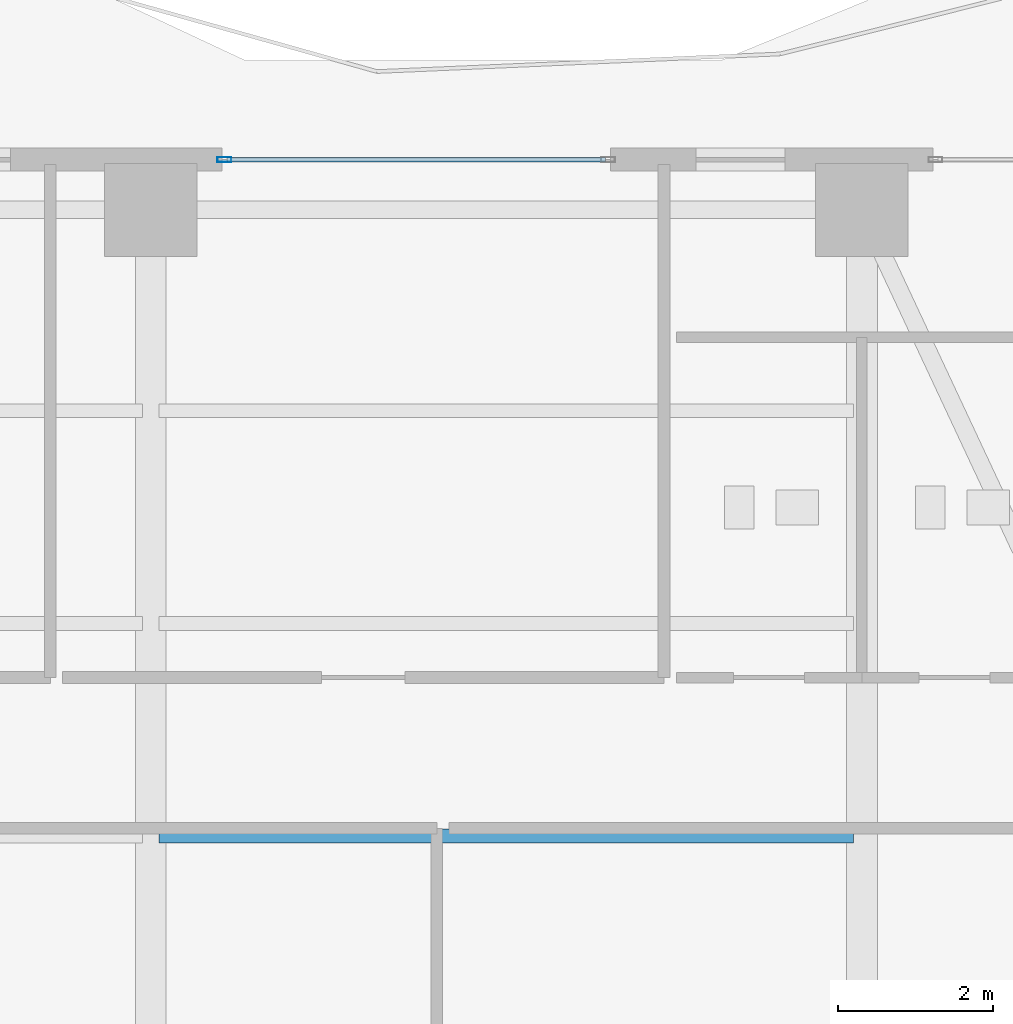
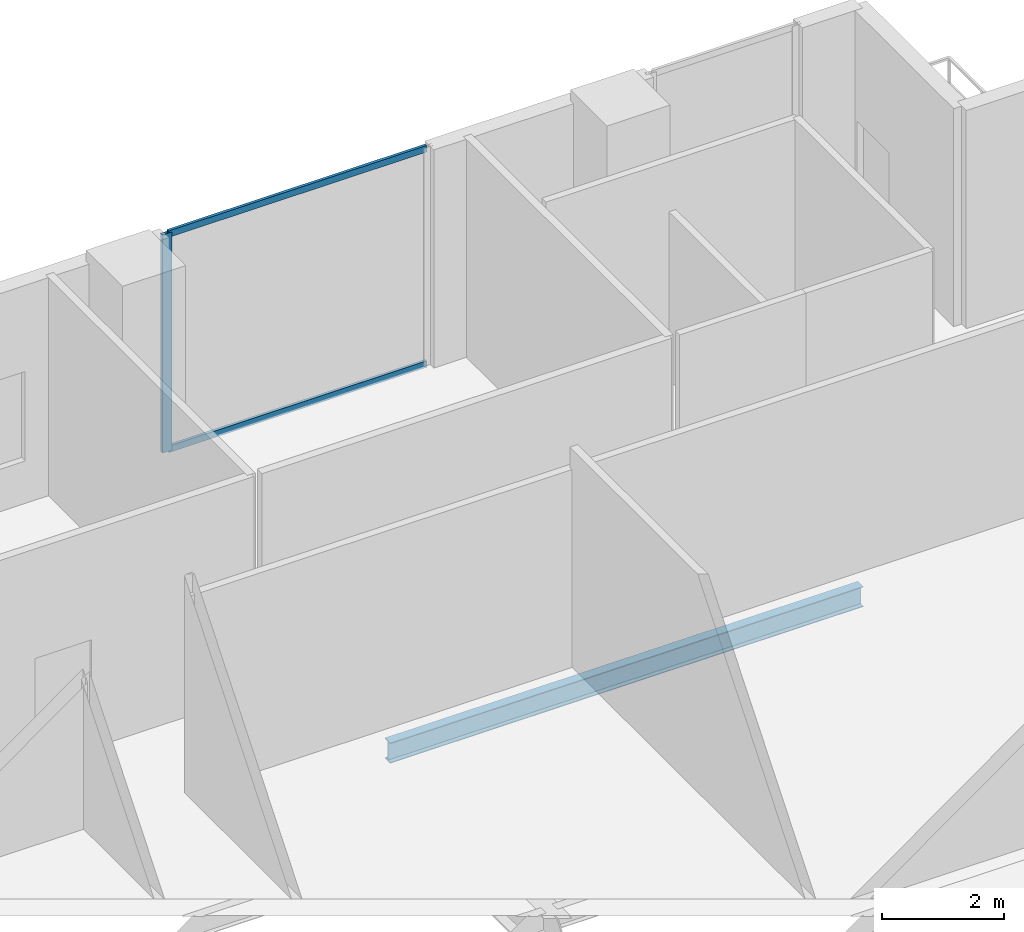
# One storey, part 19 of 31: 3 members, 1 beam, 1 element without a shape of its own.
"""IFC4 building model written with IfcOpenShell, lengths in metres."""

from ifc_helpers import new_model, si_unit, direction, frame, origin, origin_2d, place, context, subcontext, project, spatial, hollow_rectangle, i_section, extrude, material, layer, layer_set, material_profile, profile_set, type_object, element, aggregate, save


model = new_model("IFC4")

# Units and contexts
model_context = context("Model", 3, precision=1e-05, world=origin(), true_north=direction((0.0, 1.0)))
body_context = subcontext(model_context, "Body", "Model", "MODEL_VIEW")
ifc_project = project(units=[si_unit("LENGTHUNIT", "METRE"), si_unit("AREAUNIT", "SQUARE_METRE"), si_unit("VOLUMEUNIT", "CUBIC_METRE"), si_unit("PLANEANGLEUNIT", "RADIAN"), si_unit("MASSUNIT", "GRAM", prefix="KILO")], contexts=[model_context])

# Site, building, storey
site_placement = place(None, origin())
site = spatial("IfcSite", under=ifc_project, at=site_placement, CompositionType="ELEMENT")
building_placement = place(site_placement, origin())
building = spatial("IfcBuilding", under=site, at=building_placement, Name="Zuhayl Quay Hotel", CompositionType="ELEMENT")
storey_placement = place(building_placement, frame((0.0, 0.0, 172.800048828125)))
storey = spatial("IfcBuildingStorey", under=building, at=storey_placement, Name="L43", CompositionType="ELEMENT", Elevation=172.800048828125)

# Beam
ifc_material_1 = material(Name="Steel ASTM A992 Grade 50", Category="steel")
ifc_material_profile_1 = material_profile(ifc_material_1, i_section(OverallWidth=0.177978515625, OverallDepth=0.406005859375, WebThickness=0.0078125, FlangeThickness=0.0126953125, at=origin_2d()), Name="W16X40")
ifc_profile_set_1 = profile_set([ifc_material_profile_1], Name="Steel ASTM A992 Grade 50")
beam_type = type_object("IfcBeamType", Name="BM_J2B_W16X40", PredefinedType="JOIST", material=ifc_profile_set_1)
beam_placement = place(storey_placement, frame((4.7060546875, 24.85009765625, -0.423095703125), z_axis=(1.0, 0.0, 0.0), x_axis=(0.0, 1.0, 0.0)))
element("IfcBeam", 1, at=beam_placement, inside=storey, type_object=beam_type, Name="L43 Floor Beam FJ_L43_4_3", PredefinedType="JOIST", context=body_context, shape_type="SweptSolid", body=[
    extrude(i_section(OverallWidth=0.177978515625, OverallDepth=0.406005859375, WebThickness=0.0078125, FlangeThickness=0.0126953125, at=origin_2d()), origin(), (0.0, 0.0, 1.0), 8.988037109375),
])

# Curtain wall, members
ifc_material_2 = material(Name="Anodised Aluminium 6063-T6", Category="aluminium")
ifc_layer = layer(ifc_material_2, 0.175048828125, Name="Anodised Aluminium 6063-T6", Category="aluminium")
ifc_layer_set = layer_set([ifc_layer], Name="Anodised Aluminium 6063-T6")
curtain_wall_type = type_object("IfcCurtainWallType", Name="CW_SYS_Z3", PredefinedType="USERDEFINED", material=ifc_layer_set)
curtain_wall_placement = place(storey_placement, origin())
curtain_wall = element("IfcCurtainWall", 2, at=curtain_wall_placement, inside=storey, type_object=curtain_wall_type, Name="L43 Curtain Wall ENV_L43_N_CW3", ObjectType="UNITISED CURTAIN WALL", PredefinedType="USERDEFINED")
ifc_material_3 = material(Name="Black-anodised aluminium 6063-T6", Category="aluminium")
ifc_material_profile_2 = material_profile(ifc_material_3, hollow_rectangle(XDim=0.06494140625, YDim=0.179931640625, WallThickness=0.00341796875, at=origin_2d()), Name="ALU180X65")
ifc_profile_set_2 = profile_set([ifc_material_profile_2], Name="Black-anodised aluminium 6063-T6")
member_type_1 = type_object("IfcMemberType", Name="MB_CW_MUL_180", PredefinedType="MULLION", material=ifc_profile_set_2)
member_1_placement = place(storey_placement, frame((5.552490234375, 33.60009765625, 0.0), z_axis=(0.0, 0.0, 1.0), x_axis=(0.0, 1.0, 0.0)))
member_1 = element("IfcMember", 3, at=member_1_placement, type_object=member_type_1, Name="CW-Z3 mullion 1", PredefinedType="MULLION", context=body_context, shape_type="SweptSolid", body=[
    extrude(hollow_rectangle(XDim=0.06494140625, YDim=0.179931640625, WallThickness=0.00341796875, at=origin_2d()), origin(), (0.0, 0.0, 1.0), 4.3798828125),
])
ifc_material_profile_3 = material_profile(ifc_material_3, hollow_rectangle(XDim=0.054931640625, YDim=0.1298828125, WallThickness=0.0029296875, at=origin_2d()), Name="ALU130X55")
ifc_profile_set_3 = profile_set([ifc_material_profile_3], Name="Black-anodised aluminium 6063-T6")
member_type_2 = type_object("IfcMemberType", Name="MB_CW_TRN_130", PredefinedType="USERDEFINED", material=ifc_profile_set_3)
member_2_placement = place(storey_placement, frame((5.5849609375, 33.60009765625, 0.02734375), z_axis=(1.0, 0.0, 0.0), x_axis=(0.0, 1.0, 0.0)))
member_2 = element("IfcMember", 4, at=member_2_placement, type_object=member_type_2, Name="CW-Z3 transom 1.1", ObjectType="TRANSOM", PredefinedType="USERDEFINED", context=body_context, shape_type="SweptSolid", body=[
    extrude(hollow_rectangle(XDim=0.054931640625, YDim=0.1298828125, WallThickness=0.0029296875, at=origin_2d()), origin(), (0.0, 0.0, 1.0), 4.900146484375),
])
member_3_placement = place(storey_placement, frame((5.5849609375, 33.60009765625, 4.3525390625), z_axis=(1.0, 0.0, 0.0), x_axis=(0.0, 1.0, 0.0)))
member_3 = element("IfcMember", 5, at=member_3_placement, type_object=member_type_2, Name="CW-Z3 transom 1.2", ObjectType="TRANSOM", PredefinedType="USERDEFINED", context=body_context, shape_type="SweptSolid", body=[
    extrude(hollow_rectangle(XDim=0.054931640625, YDim=0.1298828125, WallThickness=0.0029296875, at=origin_2d()), origin(), (0.0, 0.0, 1.0), 4.900146484375),
])
aggregate(curtain_wall, [member_1, member_2, member_3])

save(model, "model.ifc")
